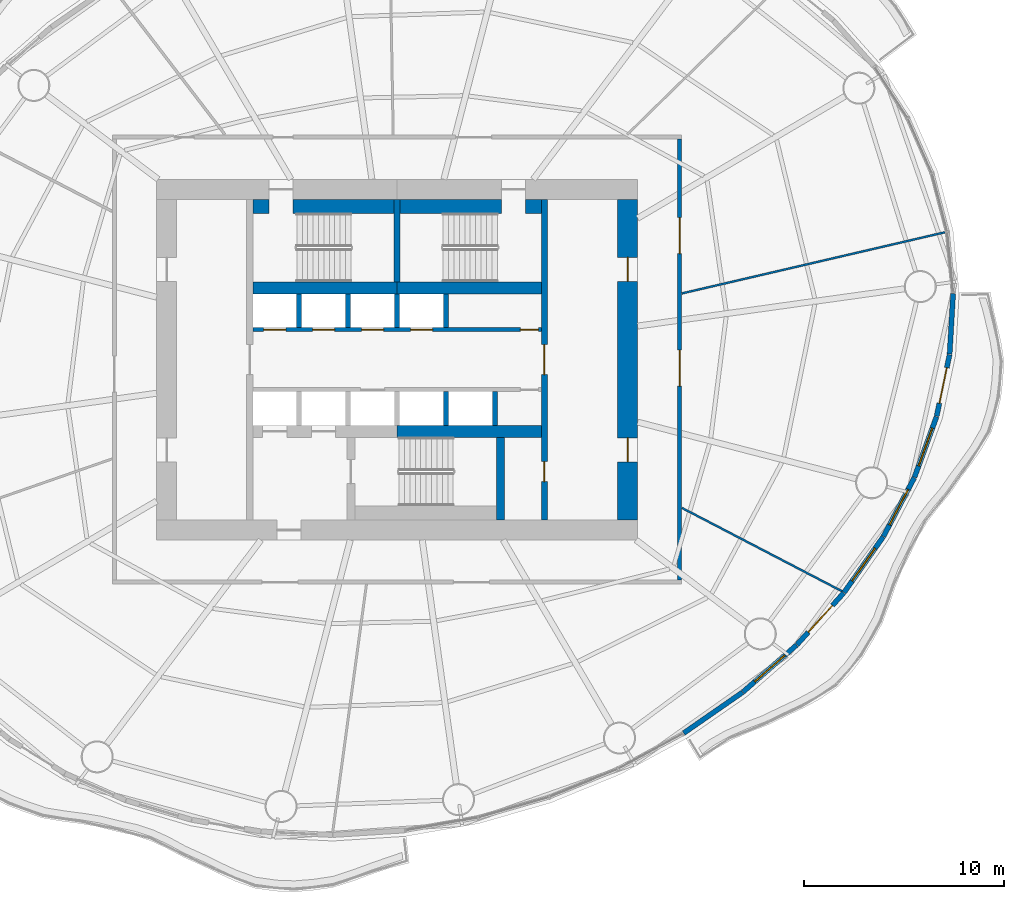
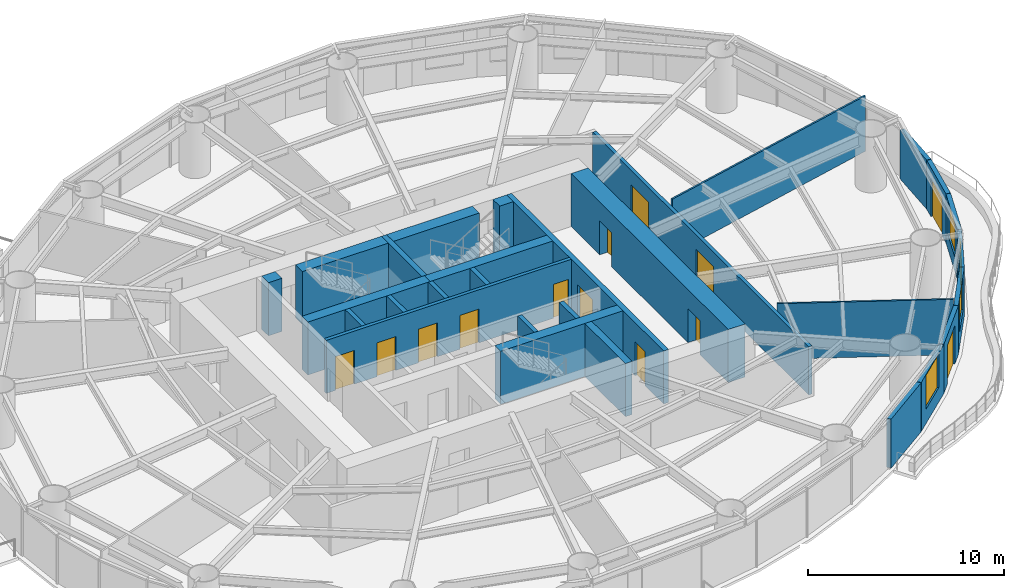
# One storey, part 9 of 16: 29 walls, 13 doors, 4 windows, 17 openings.
"""IFC4 building model written with IfcOpenShell, lengths in metres."""

import ifcopenshell
import ifcopenshell.guid

model = None  # the IFC model being written
_history = None  # IfcOwnerHistory: only IFC2X3 demands one
_inside = {}  # id of a spatial element -> (the spatial element, [elements in it])
_under = {}  # id of a project, library or spatial element -> (it, [spatial elements below it])
_declared = {}  # id of a project -> (the project, [libraries it declares])
_typed = {}  # id of a type object -> (the type object, [elements of that type])
_made_of = {}  # id of a material, layer set ... -> (it, [elements and type objects made of it])


def new_model(schema):
    """Start an empty IFC model of exactly this schema.

    Asked for "IFC4X3", IfcOpenShell would pick the latest addendum, in which some entities
    have other attributes; the version numbers below select the first issue.
    IFC2X3 requires an IfcOwnerHistory on every rooted entity: one is made here for all.
    """
    global model, _history
    if schema == "IFC4X3":
        model = ifcopenshell.file(schema_version=(4, 3, 0, 0))
    else:
        model = ifcopenshell.file(schema=schema)
    _inside.clear()
    _under.clear()
    _declared.clear()
    _typed.clear()
    _made_of.clear()
    _history = None
    if model.schema == "IFC2X3":
        org = make("IfcOrganization", Name="unknown")
        user = make(
            "IfcPersonAndOrganization",
            ThePerson=make("IfcPerson", FamilyName="unknown"),
            TheOrganization=org,
        )
        app = make(
            "IfcApplication",
            ApplicationDeveloper=org,
            Version="unknown",
            ApplicationFullName="unknown",
            ApplicationIdentifier="unknown",
        )
        _history = make(
            "IfcOwnerHistory",
            OwningUser=user,
            OwningApplication=app,
            ChangeAction="ADDED",
            CreationDate=0,
        )
    return model


def make(cls, **values):
    """One entity of the class cls with the attributes given. An attribute that is None is left unset."""
    return model.create_entity(
        cls, **{name: value for name, value in values.items() if value is not None}
    )


def rooted(cls, **values):
    """An entity with a GlobalId (a new one), such as an element, a storey or a relation."""
    return make(cls, GlobalId=ifcopenshell.guid.new(), OwnerHistory=_history, **values)


def si_unit(unit_type, name, prefix=None):
    """IfcSIUnit, for example si_unit("LENGTHUNIT", "METRE", prefix="MILLI")."""
    return make("IfcSIUnit", UnitType=unit_type, Prefix=prefix, Name=name)


def assignment(units):
    """IfcUnitAssignment: the units of a project."""
    return None if units is None else make("IfcUnitAssignment", Units=units)


def point(xyz):
    """IfcCartesianPoint."""
    return None if xyz is None else make("IfcCartesianPoint", Coordinates=xyz)


def direction(xyz):
    """IfcDirection."""
    return None if xyz is None else make("IfcDirection", DirectionRatios=xyz)


def frame(location, z_axis=None, x_axis=None):
    """IfcAxis2Placement3D, a coordinate frame: its origin and axes. An axis left out is left unset."""
    return make(
        "IfcAxis2Placement3D",
        Location=point(location),
        Axis=direction(z_axis),
        RefDirection=direction(x_axis),
    )


def frame_2d(location, x_axis=None):
    """IfcAxis2Placement2D, a coordinate frame in the plane: its origin and x axis."""
    return make(
        "IfcAxis2Placement2D", Location=point(location), RefDirection=direction(x_axis)
    )


def origin():
    """The frame at (0, 0, 0) with its axes left unset."""
    return frame((0.0, 0.0, 0.0))


def place(relative_to, where):
    """IfcLocalPlacement: puts the frame where relative to a parent placement (None: the world)."""
    return make(
        "IfcLocalPlacement", PlacementRelTo=relative_to, RelativePlacement=where
    )


def context(
    kind, dimensions, precision=None, world=None, true_north=None, identifier=None
):
    """IfcGeometricRepresentationContext, for example the 3D "Model" context."""
    return make(
        "IfcGeometricRepresentationContext",
        ContextIdentifier=identifier,
        ContextType=kind,
        CoordinateSpaceDimension=dimensions,
        Precision=precision,
        WorldCoordinateSystem=world,
        TrueNorth=true_north,
    )


def subcontext(parent, identifier, kind, view, scale=None):
    """IfcGeometricRepresentationSubContext, for example "Body" below "Model"."""
    return make(
        "IfcGeometricRepresentationSubContext",
        ContextIdentifier=identifier,
        ContextType=kind,
        ParentContext=parent,
        TargetScale=scale,
        TargetView=view,
    )


def project(units=None, contexts=None):
    """IfcProject with its units and contexts."""
    return rooted(
        "IfcProject",
        Name="project",
        RepresentationContexts=contexts,
        UnitsInContext=assignment(units),
    )


def spatial(cls, under=None, at=None, **own):
    """A site, building, storey or space (cls), placed at a placement, below another one or the project."""
    s = rooted(cls, ObjectPlacement=at, **own)
    if under is not None:
        _under.setdefault(under.id(), (under, []))[1].append(s)
    return s


def profile(cls, at=None, kind="AREA", **sizes):
    """A parametric profile (cls). Its sizes go by their IFC names, for example OverallWidth=200.0."""
    return make(cls, ProfileType=kind, Position=at, **sizes)


def rectangle(**sizes):
    """IfcRectangleProfileDef."""
    return profile("IfcRectangleProfileDef", **sizes)


def extrude(swept, where, along, depth):
    """IfcExtrudedAreaSolid: the profile swept, set in the frame where, extruded along a direction by depth."""
    return make(
        "IfcExtrudedAreaSolid",
        SweptArea=swept,
        Position=where,
        ExtrudedDirection=direction(along),
        Depth=depth,
    )


def shape(context_of_items, identifier, shape_type, items):
    """IfcShapeRepresentation: the items that make up one representation, for example the "Body"."""
    return make(
        "IfcShapeRepresentation",
        ContextOfItems=context_of_items,
        RepresentationIdentifier=identifier,
        RepresentationType=shape_type,
        Items=items,
    )


def material(Name=None, Category=None):
    """IfcMaterial."""
    return make("IfcMaterial", Name=Name, Category=Category)


def layer(
    of_material, thickness, ventilated=None, Name=None, Category=None, Priority=None
):
    """IfcMaterialLayer: one layer of a wall or slab, of a material (None: an air gap)."""
    return make(
        "IfcMaterialLayer",
        Material=of_material,
        LayerThickness=thickness,
        IsVentilated=ventilated,
        Name=Name,
        Category=Category,
        Priority=Priority,
    )


def layer_set(layers, Name=None):
    """IfcMaterialLayerSet."""
    return make("IfcMaterialLayerSet", MaterialLayers=layers, LayerSetName=Name)


def made_of(thing, what):
    """Note that an element or type object is made of a material, layer set ...; save() writes the relation."""
    if what is not None:
        _made_of.setdefault(what.id(), (what, []))[1].append(thing)
    return thing


def type_object(cls, material=None, **own):
    """A type object (cls), such as IfcWallType, which elements share."""
    return made_of(rooted(cls, **own), material)


def element(
    cls,
    number,
    at=None,
    inside=None,
    cuts=None,
    type_object=None,
    material=None,
    context=None,
    identifier="Body",
    shape_type=None,
    held_by="IfcProductDefinitionShape",
    body=None,
    shapes=None,
    **own,
):
    """One element of the class cls, such as IfcWall. Its Tag is "e" and its number.

    at: its placement. inside: the storey or other place that contains it. cuts: it is an
    opening in that element (IfcRelVoidsElement). A single representation is given by context,
    identifier, shape_type and body (its items); several are given by shapes. held_by: the class
    of the entity that holds the representations. save() writes the other relations.
    """
    e = rooted(cls, Tag="e%d" % number, ObjectPlacement=at, **own)
    if body is not None:
        shapes = [shape(context, identifier, shape_type, body)]
    if shapes is not None:
        e.Representation = make(held_by, Representations=shapes)
    if inside is not None:
        _inside.setdefault(inside.id(), (inside, []))[1].append(e)
    if cuts is not None:
        rooted(
            "IfcRelVoidsElement", RelatingBuildingElement=cuts, RelatedOpeningElement=e
        )
    if type_object is not None:
        _typed.setdefault(type_object.id(), (type_object, []))[1].append(e)
    return made_of(e, material)


def fill(opening, filler):
    """IfcRelFillsElement: the door or window that sits in an opening."""
    return rooted(
        "IfcRelFillsElement",
        RelatingOpeningElement=opening,
        RelatedBuildingElement=filler,
    )


def aggregate(whole, parts):
    """IfcRelAggregates: a whole, such as a stair, and the parts it consists of."""
    return rooted("IfcRelAggregates", RelatingObject=whole, RelatedObjects=parts)


def save(model, path):
    """Write the relations noted so far, then the file.

    IfcRelAggregates (storeys below a building ...), IfcRelContainedInSpatialStructure (elements
    in a storey), IfcRelDefinesByType, IfcRelAssociatesMaterial and IfcRelDeclares: one each for
    every whole, place, type object, material and project.
    """
    for whole, parts in _under.values():
        aggregate(whole, parts)
    for where, things in _inside.values():
        rooted(
            "IfcRelContainedInSpatialStructure",
            RelatedElements=things,
            RelatingStructure=where,
        )
    for kind, things in _typed.values():
        rooted("IfcRelDefinesByType", RelatedObjects=things, RelatingType=kind)
    for what, things in _made_of.values():
        rooted("IfcRelAssociatesMaterial", RelatedObjects=things, RelatingMaterial=what)
    for by, libraries in _declared.values():
        rooted("IfcRelDeclares", RelatingContext=by, RelatedDefinitions=libraries)
    model.write(path)


model = new_model("IFC4")

# Units and contexts
model_context = context("Model", 3, precision=1e-05, world=origin(), true_north=direction((0.0, 1.0)))
body_context = subcontext(model_context, "Body", "Model", "MODEL_VIEW")
ifc_project = project(units=[si_unit("LENGTHUNIT", "METRE"), si_unit("AREAUNIT", "SQUARE_METRE"), si_unit("VOLUMEUNIT", "CUBIC_METRE"), si_unit("PLANEANGLEUNIT", "RADIAN"), si_unit("MASSUNIT", "GRAM", prefix="KILO")], contexts=[model_context])

# Site, building, storey
site_placement = place(None, origin())
site = spatial("IfcSite", under=ifc_project, at=site_placement, CompositionType="ELEMENT")
building_placement = place(site_placement, origin())
building = spatial("IfcBuilding", under=site, at=building_placement, Name="Vermilion Reach Broadcast Tower", CompositionType="ELEMENT")
storey_placement = place(building_placement, frame((0.0, 0.0, 110.199951171875)))
storey = spatial("IfcBuildingStorey", under=building, at=storey_placement, Name="L25", CompositionType="ELEMENT", Elevation=110.199951171875)

# Wall, openings, doors
ifc_material_1 = material(Name="Concrete C70", Category="concrete")
ifc_layer_1 = layer(ifc_material_1, 0.300048828125)
ifc_layer_set_1 = layer_set([ifc_layer_1], Name="Core inner wall 300 mm Concrete C70")
wall_type_1 = type_object("IfcWallType", Name="Core inner wall 300 mm Concrete C70", PredefinedType="SHEAR", material=ifc_layer_set_1)
wall_1_placement = place(storey_placement, frame((1.35009765625, -8.0, 0.0), z_axis=(0.0, 0.0, 1.0), x_axis=(0.0, 1.0, 0.0)))
wall_1 = element("IfcWall", 1, at=wall_1_placement, inside=storey, type_object=wall_type_1, Name="L25 core wall ewE", PredefinedType="SHEAR", context=body_context, shape_type="SweptSolid", body=[
    extrude(rectangle(XDim=16.0, YDim=0.300048828125, at=frame_2d((8.0, 0.0))), origin(), (0.0, 0.0, 1.0), 3.300048828125),
])
opening_1_placement = place(wall_1_placement, frame((1.909912109375, 0.0, 0.0)))
opening_1 = element("IfcOpeningElement", 2, at=opening_1_placement, cuts=wall_1, Name="Opening D05", PredefinedType="OPENING", context=body_context, shape_type="SweptSolid", body=[
    extrude(rectangle(XDim=1.0, YDim=2.10009765625, at=frame_2d((0.5, 1.050048828125))), frame((0.0, 0.159912109375, 0.0), z_axis=(0.0, -1.0, 0.0), x_axis=(1.0, 0.0, 0.0)), (0.0, 0.0, 1.0), 0.320068359375),
])
opening_2_placement = place(wall_1_placement, frame((7.25, 0.0, 0.0)))
opening_2 = element("IfcOpeningElement", 3, at=opening_2_placement, cuts=wall_1, Name="Opening D04", PredefinedType="OPENING", context=body_context, shape_type="SweptSolid", body=[
    extrude(rectangle(XDim=1.5, YDim=2.10009765625, at=frame_2d((0.75, 1.050048828125))), frame((0.0, 0.159912109375, 0.0), z_axis=(0.0, -1.0, 0.0), x_axis=(1.0, 0.0, 0.0)), (0.0, 0.0, 1.0), 0.320068359375),
])
ifc_material_2 = material(Name="Painted steel fire door", Category="steel")
door_type_1 = type_object("IfcDoorType", Name="Lift lobby door 1500 x 2100", OperationType="DOUBLE_DOOR_SINGLE_SWING", PredefinedType="NOTDEFINED", material=ifc_material_2)
door_1_placement = place(opening_2_placement, origin())
door_1 = element("IfcDoor", 4, at=door_1_placement, inside=storey, type_object=door_type_1, Name="L25 band door BE", OperationType="DOUBLE_DOOR_SINGLE_SWING", OverallHeight=2.10009765625, OverallWidth=1.5, PredefinedType="NOTDEFINED", context=body_context, shape_type="SweptSolid", body=[
    extrude(rectangle(XDim=1.5, YDim=2.10009765625, at=frame_2d((0.75, 1.050048828125))), frame((0.0, 0.02490234375, 0.0), z_axis=(0.0, -1.0, 0.0), x_axis=(1.0, 0.0, 0.0)), (0.0, 0.0, 1.0), 0.050048828125),
])
fill(opening_2, door_1)
ifc_material_3 = material(Name="Timber door", Category="wood")
door_type_2 = type_object("IfcDoorType", Name="Room door 1000 x 2100", OperationType="NOTDEFINED", PredefinedType="NOTDEFINED", material=ifc_material_3)
door_2_placement = place(opening_1_placement, origin())
door_2 = element("IfcDoor", 5, at=door_2_placement, inside=storey, type_object=door_type_2, Name="L25 door SER", OperationType="SINGLE_SWING_LEFT", OverallHeight=2.10009765625, OverallWidth=1.0, PredefinedType="NOTDEFINED", context=body_context, shape_type="SweptSolid", body=[
    extrude(rectangle(XDim=1.0, YDim=2.10009765625, at=frame_2d((0.5, 1.050048828125))), frame((0.0, 0.02490234375, 0.0), z_axis=(0.0, -1.0, 0.0), x_axis=(1.0, 0.0, 0.0)), (0.0, 0.0, 1.0), 0.050048828125),
])
fill(opening_1, door_2)

# Walls
wall_2_placement = place(storey_placement, frame((-6.0, 3.8798828125, 0.0), z_axis=(0.0, 0.0, 1.0), x_axis=(0.0, 1.0, 0.0)))
element("IfcWall", 6, at=wall_2_placement, inside=storey, type_object=wall_type_1, Name="L25 core wall wc", PredefinedType="SHEAR", context=body_context, shape_type="SweptSolid", body=[
    extrude(rectangle(XDim=4.1201171875, YDim=0.300048828125, at=frame_2d((2.06005859375, 0.0))), origin(), (0.0, 0.0, 1.0), 3.300048828125),
])
ifc_material_4 = material(Name="Concrete C70", Category="concrete")
ifc_layer_2 = layer(ifc_material_4, 0.39990234375)
ifc_layer_set_2 = layer_set([ifc_layer_2], Name="Core inner wall 400 mm Concrete C70")
wall_type_2 = type_object("IfcWallType", Name="Core inner wall 400 mm Concrete C70", PredefinedType="SHEAR", material=ifc_layer_set_2)
wall_3_placement = place(storey_placement, frame((-0.85009765625, -3.8798828125, 0.0), z_axis=(0.0, 0.0, 1.0), x_axis=(0.0, -1.0, 0.0)))
element("IfcWall", 7, at=wall_3_placement, inside=storey, type_object=wall_type_2, Name="L25 core wall wb", PredefinedType="SHEAR", context=body_context, shape_type="SweptSolid", body=[
    extrude(rectangle(XDim=4.1201171875, YDim=0.39990234375, at=frame_2d((2.06005859375, 0.0))), origin(), (0.0, 0.0, 1.0), 3.300048828125),
])
ifc_material_5 = material(Name="Concrete C70", Category="concrete")
ifc_layer_3 = layer(ifc_material_5, 0.60009765625)
ifc_layer_set_3 = layer_set([ifc_layer_3], Name="Core inner wall 600 mm Concrete C70")
wall_type_3 = type_object("IfcWallType", Name="Core inner wall 600 mm Concrete C70", PredefinedType="SHEAR", material=ifc_layer_set_3)
for number, where, z_axis, x_axis, name in (
    (8, (-13.199951171875, 3.580078125, 0.0), (0.0, 0.0, 1.0), (1.0, 0.0, 0.0), "L25 core wall winW"),
    (9, (-6.0, 3.580078125, 0.0), (0.0, 0.0, 1.0), (1.0, 0.0, 0.0), "L25 core wall winE"),
    (10, (-6.0, -3.580078125, 0.0), (0.0, 0.0, 1.0), (1.0, 0.0, 0.0), "L25 core wall wisE"),
):
    element("IfcWall", number, at=place(storey_placement, frame(where, z_axis=z_axis, x_axis=x_axis)), inside=storey, type_object=wall_type_3, Name=name, PredefinedType="SHEAR", context=body_context, shape_type="SweptSolid", body=[
        extrude(rectangle(XDim=7.199951171875, YDim=0.60009765625, at=frame_2d((3.60009765625, 0.0))), origin(), (0.0, 0.0, 1.0), 3.300048828125),
    ])

# Wall, openings, doors
ifc_material_6 = material(Name="Concrete C70", Category="concrete")
ifc_layer_4 = layer(ifc_material_6, 1.0)
ifc_layer_set_4 = layer_set([ifc_layer_4], Name="Core outer wall 1000 mm Concrete C70")
wall_type_4 = type_object("IfcWallType", Name="Core outer wall 1000 mm Concrete C70", PredefinedType="SHEAR", material=ifc_layer_set_4)
wall_4_placement = place(storey_placement, frame((5.5, -8.0, 0.0), z_axis=(0.0, 0.0, 1.0), x_axis=(0.0, 1.0, 0.0)))
wall_4 = element("IfcWall", 11, at=wall_4_placement, inside=storey, type_object=wall_type_4, Name="L25 core wall oe", PredefinedType="SHEAR", context=body_context, shape_type="SweptSolid", body=[
    extrude(rectangle(XDim=16.0, YDim=1.0, at=frame_2d((8.0, 0.0))), origin(), (0.0, 0.0, 1.0), 3.300048828125),
])
opening_3_placement = place(wall_4_placement, frame((2.89990234375, 0.0, 0.0)))
opening_3 = element("IfcOpeningElement", 12, at=opening_3_placement, cuts=wall_4, Name="Opening D03", PredefinedType="OPENING", context=body_context, shape_type="SweptSolid", body=[
    extrude(rectangle(XDim=1.199951171875, YDim=2.10009765625, at=frame_2d((0.60009765625, 1.050048828125))), frame((0.0, 0.510009765625, 0.0), z_axis=(0.0, -1.0, 0.0), x_axis=(1.0, 0.0, 0.0)), (0.0, 0.0, 1.0), 1.02001953125),
])
opening_4_placement = place(wall_4_placement, frame((11.89990234375, 0.0, 0.0)))
opening_4 = element("IfcOpeningElement", 13, at=opening_4_placement, cuts=wall_4, Name="Opening D03", PredefinedType="OPENING", context=body_context, shape_type="SweptSolid", body=[
    extrude(rectangle(XDim=1.199951171875, YDim=2.10009765625, at=frame_2d((0.60009765625, 1.050048828125))), frame((0.0, 0.510009765625, 0.0), z_axis=(0.0, -1.0, 0.0), x_axis=(1.0, 0.0, 0.0)), (0.0, 0.0, 1.0), 1.02001953125),
])
ifc_material_7 = material(Name="Painted steel fire door", Category="steel")
door_type_3 = type_object("IfcDoorType", Name="Core lobby door 1200 x 2100", OperationType="DOUBLE_DOOR_SINGLE_SWING", PredefinedType="NOTDEFINED", material=ifc_material_7)
door_3_placement = place(opening_3_placement, origin())
door_3 = element("IfcDoor", 14, at=door_3_placement, inside=storey, type_object=door_type_3, Name="L25 slot door E0", OperationType="DOUBLE_DOOR_SINGLE_SWING", OverallHeight=2.10009765625, OverallWidth=1.199951171875, PredefinedType="NOTDEFINED", context=body_context, shape_type="SweptSolid", body=[
    extrude(rectangle(XDim=1.199951171875, YDim=2.10009765625, at=frame_2d((0.60009765625, 1.050048828125))), frame((0.0, 0.02490234375, 0.0), z_axis=(0.0, -1.0, 0.0), x_axis=(1.0, 0.0, 0.0)), (0.0, 0.0, 1.0), 0.050048828125),
])
fill(opening_3, door_3)
door_4_placement = place(opening_4_placement, origin())
door_4 = element("IfcDoor", 15, at=door_4_placement, inside=storey, type_object=door_type_3, Name="L25 slot door E1", OperationType="DOUBLE_DOOR_SINGLE_SWING", OverallHeight=2.10009765625, OverallWidth=1.199951171875, PredefinedType="NOTDEFINED", context=body_context, shape_type="SweptSolid", body=[
    extrude(rectangle(XDim=1.199951171875, YDim=2.10009765625, at=frame_2d((0.60009765625, 1.050048828125))), frame((0.0, 0.02490234375, 0.0), z_axis=(0.0, -1.0, 0.0), x_axis=(1.0, 0.0, 0.0)), (0.0, 0.0, 1.0), 0.050048828125),
])
fill(opening_4, door_4)

ifc_material_8 = material(Name="Concrete C50", Category="concrete")
ifc_layer_5 = layer(ifc_material_8, 0.199951171875)
ifc_layer_set_5 = layer_set([ifc_layer_5], Name="Core shaft wall 200 mm Concrete C50")
wall_type_5 = type_object("IfcWallType", Name="Core shaft wall 200 mm Concrete C50", PredefinedType="SHEAR", material=ifc_layer_set_5)
wall_5_placement = place(storey_placement, frame((-13.199951171875, 1.5, 0.0), z_axis=(0.0, 0.0, 1.0), x_axis=(1.0, 0.0, 0.0)))
wall_5 = element("IfcWall", 16, at=wall_5_placement, inside=storey, type_object=wall_type_5, Name="L25 core wall fn", PredefinedType="SHEAR", context=body_context, shape_type="SweptSolid", body=[
    extrude(rectangle(XDim=14.39990234375, YDim=0.199951171875, at=frame_2d((7.199951171875, 0.0))), origin(), (0.0, 0.0, 1.0), 3.300048828125),
])
opening_5_placement = place(wall_5_placement, frame((0.5458984375, 0.0, 0.0)))
opening_5 = element("IfcOpeningElement", 17, at=opening_5_placement, cuts=wall_5, Name="Opening LD2", PredefinedType="OPENING", context=body_context, shape_type="SweptSolid", body=[
    extrude(rectangle(XDim=1.10009765625, YDim=2.10009765625, at=frame_2d((0.550048828125, 1.050048828125))), frame((0.0, 0.10986328125, 0.0), z_axis=(0.0, -1.0, 0.0), x_axis=(1.0, 0.0, 0.0)), (0.0, 0.0, 1.0), 0.219970703125),
])
opening_6_placement = place(wall_5_placement, frame((2.987548828125, 0.0, 0.0)))
opening_6 = element("IfcOpeningElement", 18, at=opening_6_placement, cuts=wall_5, Name="Opening LD2", PredefinedType="OPENING", context=body_context, shape_type="SweptSolid", body=[
    extrude(rectangle(XDim=1.10009765625, YDim=2.10009765625, at=frame_2d((0.550048828125, 1.050048828125))), frame((0.0, 0.10986328125, 0.0), z_axis=(0.0, -1.0, 0.0), x_axis=(1.0, 0.0, 0.0)), (0.0, 0.0, 1.0), 0.219970703125),
])
opening_7_placement = place(wall_5_placement, frame((5.42919921875, 0.0, 0.0)))
opening_7 = element("IfcOpeningElement", 19, at=opening_7_placement, cuts=wall_5, Name="Opening LD2", PredefinedType="OPENING", context=body_context, shape_type="SweptSolid", body=[
    extrude(rectangle(XDim=1.10009765625, YDim=2.10009765625, at=frame_2d((0.550048828125, 1.050048828125))), frame((0.0, 0.10986328125, 0.0), z_axis=(0.0, -1.0, 0.0), x_axis=(1.0, 0.0, 0.0)), (0.0, 0.0, 1.0), 0.219970703125),
])
opening_8_placement = place(wall_5_placement, frame((7.870849609375, 0.0, 0.0)))
opening_8 = element("IfcOpeningElement", 20, at=opening_8_placement, cuts=wall_5, Name="Opening LD2", PredefinedType="OPENING", context=body_context, shape_type="SweptSolid", body=[
    extrude(rectangle(XDim=1.10009765625, YDim=2.10009765625, at=frame_2d((0.550048828125, 1.050048828125))), frame((0.0, 0.10986328125, 0.0), z_axis=(0.0, -1.0, 0.0), x_axis=(1.0, 0.0, 0.0)), (0.0, 0.0, 1.0), 0.219970703125),
])
opening_9_placement = place(wall_5_placement, frame((13.35009765625, 0.0, 0.0)))
opening_9 = element("IfcOpeningElement", 21, at=opening_9_placement, cuts=wall_5, Name="Opening D06", PredefinedType="OPENING", context=body_context, shape_type="SweptSolid", body=[
    extrude(rectangle(XDim=0.89990234375, YDim=2.10009765625, at=frame_2d((0.449951171875, 1.050048828125))), frame((0.0, 0.10986328125, 0.0), z_axis=(0.0, -1.0, 0.0), x_axis=(1.0, 0.0, 0.0)), (0.0, 0.0, 1.0), 0.219970703125),
])
ifc_material_9 = material(Name="Stainless steel", Category="steel")
door_type_4 = type_object("IfcDoorType", Name="Landing door 1100 x 2100", OperationType="DOUBLE_DOOR_SLIDING", PredefinedType="NOTDEFINED", material=ifc_material_9)
door_5_placement = place(opening_5_placement, origin())
door_5 = element("IfcDoor", 22, at=door_5_placement, inside=storey, type_object=door_type_4, Name="L25 landing door LR1", OperationType="DOUBLE_DOOR_SLIDING", OverallHeight=2.10009765625, OverallWidth=1.10009765625, PredefinedType="NOTDEFINED", context=body_context, shape_type="SweptSolid", body=[
    extrude(rectangle(XDim=1.10009765625, YDim=2.10009765625, at=frame_2d((0.550048828125, 1.050048828125))), frame((0.0, 0.02490234375, 0.0), z_axis=(0.0, -1.0, 0.0), x_axis=(1.0, 0.0, 0.0)), (0.0, 0.0, 1.0), 0.050048828125),
])
fill(opening_5, door_5)
door_6_placement = place(opening_6_placement, origin())
door_6 = element("IfcDoor", 23, at=door_6_placement, inside=storey, type_object=door_type_4, Name="L25 landing door LR2", OperationType="DOUBLE_DOOR_SLIDING", OverallHeight=2.10009765625, OverallWidth=1.10009765625, PredefinedType="NOTDEFINED", context=body_context, shape_type="SweptSolid", body=[
    extrude(rectangle(XDim=1.10009765625, YDim=2.10009765625, at=frame_2d((0.550048828125, 1.050048828125))), frame((0.0, 0.02490234375, 0.0), z_axis=(0.0, -1.0, 0.0), x_axis=(1.0, 0.0, 0.0)), (0.0, 0.0, 1.0), 0.050048828125),
])
fill(opening_6, door_6)
door_7_placement = place(opening_7_placement, origin())
door_7 = element("IfcDoor", 24, at=door_7_placement, inside=storey, type_object=door_type_4, Name="L25 landing door LR3", OperationType="DOUBLE_DOOR_SLIDING", OverallHeight=2.10009765625, OverallWidth=1.10009765625, PredefinedType="NOTDEFINED", context=body_context, shape_type="SweptSolid", body=[
    extrude(rectangle(XDim=1.10009765625, YDim=2.10009765625, at=frame_2d((0.550048828125, 1.050048828125))), frame((0.0, 0.02490234375, 0.0), z_axis=(0.0, -1.0, 0.0), x_axis=(1.0, 0.0, 0.0)), (0.0, 0.0, 1.0), 0.050048828125),
])
fill(opening_7, door_7)
door_8_placement = place(opening_8_placement, origin())
door_8 = element("IfcDoor", 25, at=door_8_placement, inside=storey, type_object=door_type_4, Name="L25 landing door LR4", OperationType="DOUBLE_DOOR_SLIDING", OverallHeight=2.10009765625, OverallWidth=1.10009765625, PredefinedType="NOTDEFINED", context=body_context, shape_type="SweptSolid", body=[
    extrude(rectangle(XDim=1.10009765625, YDim=2.10009765625, at=frame_2d((0.550048828125, 1.050048828125))), frame((0.0, 0.02490234375, 0.0), z_axis=(0.0, -1.0, 0.0), x_axis=(1.0, 0.0, 0.0)), (0.0, 0.0, 1.0), 0.050048828125),
])
fill(opening_8, door_8)
ifc_material_10 = material(Name="Timber door", Category="wood")
door_type_5 = type_object("IfcDoorType", Name="WC door 900 x 2100", OperationType="NOTDEFINED", PredefinedType="NOTDEFINED", material=ifc_material_10)
door_9_placement = place(opening_9_placement, origin())
door_9 = element("IfcDoor", 26, at=door_9_placement, inside=storey, type_object=door_type_5, Name="L25 door Female WC", OperationType="SINGLE_SWING_RIGHT", OverallHeight=2.10009765625, OverallWidth=0.89990234375, PredefinedType="NOTDEFINED", context=body_context, shape_type="SweptSolid", body=[
    extrude(rectangle(XDim=0.89990234375, YDim=2.10009765625, at=frame_2d((0.449951171875, 1.050048828125))), frame((0.0, 0.02490234375, 0.0), z_axis=(0.0, -1.0, 0.0), x_axis=(1.0, 0.0, 0.0)), (0.0, 0.0, 1.0), 0.050048828125),
])
fill(opening_9, door_9)

# Walls
ifc_material_11 = material(Name="Concrete C50", Category="concrete")
ifc_layer_6 = layer(ifc_material_11, 0.25)
ifc_layer_set_6 = layer_set([ifc_layer_6], Name="Core shaft wall 250 mm Concrete C50")
wall_type_6 = type_object("IfcWallType", Name="Core shaft wall 250 mm Concrete C50", PredefinedType="SHEAR", material=ifc_layer_set_6)
for number, where, z_axis, x_axis, name in (
    (27, (-10.88330078125, 1.60009765625, 0.0), (0.0, 0.0, 1.0), (0.0, 1.0, 0.0), "L25 core wall psN0"),
    (28, (-8.441650390625, 1.60009765625, 0.0), (0.0, 0.0, 1.0), (0.0, 1.0, 0.0), "L25 core wall psN1"),
    (29, (-6.0, 1.60009765625, 0.0), (0.0, 0.0, 1.0), (0.0, 1.0, 0.0), "L25 core wall psN2"),
    (30, (-3.558349609375, 1.60009765625, 0.0), (0.0, 0.0, 1.0), (0.0, 1.0, 0.0), "L25 core wall psN3"),
    (31, (-3.558349609375, -1.60009765625, 0.0), (0.0, 0.0, 1.0), (0.0, -1.0, 0.0), "L25 core wall psS3"),
    (32, (-1.11669921875, -1.60009765625, 0.0), (0.0, 0.0, 1.0), (0.0, -1.0, 0.0), "L25 core wall psS4"),
):
    element("IfcWall", number, at=place(storey_placement, frame(where, z_axis=z_axis, x_axis=x_axis)), inside=storey, type_object=wall_type_6, Name=name, PredefinedType="SHEAR", context=body_context, shape_type="SweptSolid", body=[
        extrude(rectangle(XDim=1.679931640625, YDim=0.25, at=frame_2d((0.83984375, 0.0))), origin(), (0.0, 0.0, 1.0), 3.300048828125),
    ])
ifc_material_12 = material(Name="Concrete C70", Category="concrete")
ifc_layer_7 = layer(ifc_material_12, 0.699951171875)
ifc_layer_set_7 = layer_set([ifc_layer_7], Name="Core stair wall 700 mm Concrete C70")
wall_type_7 = type_object("IfcWallType", Name="Core stair wall 700 mm Concrete C70", PredefinedType="SHEAR", material=ifc_layer_set_7)
wall_6_placement = place(storey_placement, frame((-13.199951171875, 7.64990234375, 0.0), z_axis=(0.0, 0.0, 1.0), x_axis=(1.0, 0.0, 0.0)))
element("IfcWall", 33, at=wall_6_placement, inside=storey, type_object=wall_type_7, Name="L25 core wall l1a", PredefinedType="SHEAR", context=body_context, shape_type="SweptSolid", body=[
    extrude(rectangle(XDim=0.800048828125, YDim=0.699951171875, at=frame_2d((0.39990234375, 0.0))), origin(), (0.0, 0.0, 1.0), 3.300048828125),
])
for number, where, z_axis, x_axis, name in (
    (34, (-11.199951171875, 7.64990234375, 0.0), (0.0, 0.0, 1.0), (1.0, 0.0, 0.0), "L25 core wall l1b"),
    (35, (-5.85009765625, 7.64990234375, 0.0), (0.0, 0.0, 1.0), (1.0, 0.0, 0.0), "L25 core wall l2a"),
):
    element("IfcWall", number, at=place(storey_placement, frame(where, z_axis=z_axis, x_axis=x_axis)), inside=storey, type_object=wall_type_7, Name=name, PredefinedType="SHEAR", context=body_context, shape_type="SweptSolid", body=[
        extrude(rectangle(XDim=5.050048828125, YDim=0.699951171875, at=frame_2d((2.52490234375, 0.0))), origin(), (0.0, 0.0, 1.0), 3.300048828125),
    ])
wall_7_placement = place(storey_placement, frame((0.39990234375, 7.64990234375, 0.0), z_axis=(0.0, 0.0, 1.0), x_axis=(1.0, 0.0, 0.0)))
element("IfcWall", 36, at=wall_7_placement, inside=storey, type_object=wall_type_7, Name="L25 core wall l2b", PredefinedType="SHEAR", context=body_context, shape_type="SweptSolid", body=[
    extrude(rectangle(XDim=0.800048828125, YDim=0.699951171875, at=frame_2d((0.39990234375, 0.0))), origin(), (0.0, 0.0, 1.0), 3.300048828125),
])
ifc_material_13 = material(Name="Plasterboard on steel stud", Category="steel")
ifc_layer_8 = layer(ifc_material_13, 0.10009765625)
ifc_layer_set_8 = layer_set([ifc_layer_8], Name="Partition 100 steel stud")
wall_type_8 = type_object("IfcWallType", Name="Partition 100 steel stud", PredefinedType="PARTITIONING", material=ifc_layer_set_8)
wall_8_placement = place(storey_placement, frame((16.196533203125, -11.552978515625, 0.0), z_axis=(0.0, 0.0, 1.0), x_axis=(-0.887035297642, 0.461701614398, 0.0)))
element("IfcWall", 37, at=wall_8_placement, inside=storey, type_object=wall_type_8, Name="Partition 25.07", PredefinedType="PARTITIONING", context=body_context, shape_type="SweptSolid", body=[
    extrude(rectangle(XDim=8.98876953125, YDim=0.10009765625, at=frame_2d((4.494384765625, 0.0))), origin(), (0.0, 0.0, 1.0), 3.449951171875),
])
wall_9_placement = place(storey_placement, frame((21.330810546875, 6.353759765625, 0.0), z_axis=(0.0, 0.0, 1.0), x_axis=(-0.974027925426, -0.226427914555, 0.0)))
element("IfcWall", 38, at=wall_9_placement, inside=storey, type_object=wall_type_8, Name="Partition 25.08", PredefinedType="PARTITIONING", context=body_context, shape_type="SweptSolid", body=[
    extrude(rectangle(XDim=13.46923828125, YDim=0.10009765625, at=frame_2d((6.734619140625, 0.0))), origin(), (0.0, 0.0, 1.0), 3.449951171875),
])
ifc_material_14 = material(Name="Terracotta rainscreen cladding", Category="masonry")
ifc_layer_9 = layer(ifc_material_14, 0.25)
ifc_layer_set_9 = layer_set([ifc_layer_9], Name="Terracotta rainscreen wall 250")
wall_type_9 = type_object("IfcWallType", Name="Terracotta rainscreen wall 250", PredefinedType="SOLIDWALL", material=ifc_layer_set_9)
wall_10_placement = place(storey_placement, frame((8.30517578125, -18.63330078125, 0.0), z_axis=(0.0, 0.0, 1.0), x_axis=(0.821702391874, 0.56991681778, 0.0)))
element("IfcWall", 39, at=wall_10_placement, inside=storey, type_object=wall_type_9, Name="External wall L25 38", PredefinedType="SOLIDWALL", context=body_context, shape_type="SweptSolid", body=[
    extrude(rectangle(XDim=3.572998046875, YDim=0.25, at=frame_2d((1.78662109375, 0.0))), origin(), (0.0, 0.0, 1.0), 3.050048828125),
])

# Wall, opening, window
wall_11_placement = place(storey_placement, frame((11.258544921875, -16.58349609375, 0.0), z_axis=(0.0, 0.0, 1.0), x_axis=(0.752389619374, 0.658718346988, 0.0)))
wall_11 = element("IfcWall", 40, at=wall_11_placement, inside=storey, type_object=wall_type_9, Name="External wall L25 39", PredefinedType="SOLIDWALL", context=body_context, shape_type="SweptSolid", body=[
    extrude(rectangle(XDim=3.5576171875, YDim=0.25, at=frame_2d((1.77880859375, 0.0))), origin(), (0.0, 0.0, 1.0), 3.050048828125),
])
opening_10_placement = place(wall_11_placement, frame((0.77880859375, 0.0, 0.89990234375)))
opening_10 = element("IfcOpeningElement", 41, at=opening_10_placement, cuts=wall_11, Name="Opening W03", PredefinedType="OPENING", context=body_context, shape_type="SweptSolid", body=[
    extrude(rectangle(XDim=2.0, YDim=2.10009765625, at=frame_2d((1.0, 1.050048828125))), frame((0.0, 0.135009765625, 0.0), z_axis=(0.0, -1.0, 0.0), x_axis=(1.0, 0.0, 0.0)), (0.0, 0.0, 1.0), 0.27001953125),
])
ifc_material_15 = material(Name="Low-e laminated clear glass in aluminium frame", Category="aluminium")
window_type = type_object("IfcWindowType", Name="Punched window 2000 x 2100 sill 900", PartitioningType="SINGLE_PANEL", PredefinedType="WINDOW", material=ifc_material_15)
window_1_placement = place(opening_10_placement, origin())
window_1 = element("IfcWindow", 42, at=window_1_placement, inside=storey, type_object=window_type, Name="Window L25 39", OverallHeight=2.10009765625, OverallWidth=2.0, PartitioningType="SINGLE_PANEL", PredefinedType="WINDOW", context=body_context, shape_type="SweptSolid", body=[
    extrude(rectangle(XDim=2.0, YDim=2.10009765625, at=frame_2d((1.0, 1.050048828125))), frame((0.0, 0.030029296875, 0.0), z_axis=(0.0, -1.0, 0.0), x_axis=(1.0, 0.0, 0.0)), (0.0, 0.0, 1.0), 0.06005859375),
])
fill(opening_10, window_1)

# Wall, opening, door
wall_12_placement = place(storey_placement, frame((13.951416015625, -14.22412109375, 0.0), z_axis=(0.0, 0.0, 1.0), x_axis=(0.670380889725, 0.74201715795, 0.0)))
wall_12 = element("IfcWall", 43, at=wall_12_placement, inside=storey, type_object=wall_type_9, Name="External wall L25 40", PredefinedType="SOLIDWALL", context=body_context, shape_type="SweptSolid", body=[
    extrude(rectangle(XDim=3.483154296875, YDim=0.25, at=frame_2d((1.74169921875, 0.0))), origin(), (0.0, 0.0, 1.0), 3.050048828125),
])
opening_11_placement = place(wall_12_placement, frame((0.842041015625, 0.0, 0.0)))
opening_11 = element("IfcOpeningElement", 44, at=opening_11_placement, cuts=wall_12, Name="Opening D70", PredefinedType="OPENING", context=body_context, shape_type="SweptSolid", body=[
    extrude(rectangle(XDim=1.800048828125, YDim=2.39990234375, at=frame_2d((0.89990234375, 1.199951171875))), frame((0.0, 0.135009765625, 0.0), z_axis=(0.0, -1.0, 0.0), x_axis=(1.0, 0.0, 0.0)), (0.0, 0.0, 1.0), 0.27001953125),
])
ifc_material_16 = material(Name="Low-e laminated clear glass in aluminium frame", Category="aluminium")
door_type_6 = type_object("IfcDoorType", Name="Balcony sliding door 1800 x 2400", OperationType="DOUBLE_DOOR_SLIDING", PredefinedType="DOOR", material=ifc_material_16)
door_10_placement = place(opening_11_placement, origin())
door_10 = element("IfcDoor", 45, at=door_10_placement, inside=storey, type_object=door_type_6, Name="Balcony door L25 run 10", OperationType="DOUBLE_DOOR_SLIDING", OverallHeight=2.39990234375, OverallWidth=1.800048828125, PredefinedType="DOOR", context=body_context, shape_type="SweptSolid", body=[
    extrude(rectangle(XDim=1.800048828125, YDim=2.39990234375, at=frame_2d((0.89990234375, 1.199951171875))), frame((0.0, 0.02490234375, 0.0), z_axis=(0.0, -1.0, 0.0), x_axis=(1.0, 0.0, 0.0)), (0.0, 0.0, 1.0), 0.050048828125),
])
fill(opening_11, door_10)

# Wall, opening, window
wall_13_placement = place(storey_placement, frame((16.30078125, -11.62158203125, 0.0), z_axis=(0.0, 0.0, 1.0), x_axis=(0.57497541368, 0.818170687365, 0.0)))
wall_13 = element("IfcWall", 46, at=wall_13_placement, inside=storey, type_object=wall_type_9, Name="External wall L25 41", PredefinedType="SOLIDWALL", context=body_context, shape_type="SweptSolid", body=[
    extrude(rectangle(XDim=3.398193359375, YDim=0.25, at=frame_2d((1.69921875, 0.0))), origin(), (0.0, 0.0, 1.0), 3.050048828125),
])
opening_12_placement = place(wall_13_placement, frame((0.698974609375, 0.0, 0.89990234375)))
opening_12 = element("IfcOpeningElement", 47, at=opening_12_placement, cuts=wall_13, Name="Opening W03", PredefinedType="OPENING", context=body_context, shape_type="SweptSolid", body=[
    extrude(rectangle(XDim=2.0, YDim=2.10009765625, at=frame_2d((1.0, 1.050048828125))), frame((0.0, 0.135009765625, 0.0), z_axis=(0.0, -1.0, 0.0), x_axis=(1.0, 0.0, 0.0)), (0.0, 0.0, 1.0), 0.27001953125),
])
window_2_placement = place(opening_12_placement, origin())
window_2 = element("IfcWindow", 48, at=window_2_placement, inside=storey, type_object=window_type, Name="Window L25 41", OverallHeight=2.10009765625, OverallWidth=2.0, PartitioningType="SINGLE_PANEL", PredefinedType="WINDOW", context=body_context, shape_type="SweptSolid", body=[
    extrude(rectangle(XDim=2.0, YDim=2.10009765625, at=frame_2d((1.0, 1.050048828125))), frame((0.0, 0.030029296875, 0.0), z_axis=(0.0, -1.0, 0.0), x_axis=(1.0, 0.0, 0.0)), (0.0, 0.0, 1.0), 0.06005859375),
])
fill(opening_12, window_2)

wall_14_placement = place(storey_placement, frame((18.267333984375, -8.82080078125, 0.0), z_axis=(0.0, 0.0, 1.0), x_axis=(0.465454364303, 0.885071881121, 0.0)))
wall_14 = element("IfcWall", 49, at=wall_14_placement, inside=storey, type_object=wall_type_9, Name="External wall L25 42", PredefinedType="SOLIDWALL", context=body_context, shape_type="SweptSolid", body=[
    extrude(rectangle(XDim=3.3076171875, YDim=0.25, at=frame_2d((1.65380859375, 0.0))), origin(), (0.0, 0.0, 1.0), 3.050048828125),
])
opening_13_placement = place(wall_14_placement, frame((0.65380859375, 0.0, 0.89990234375)))
opening_13 = element("IfcOpeningElement", 50, at=opening_13_placement, cuts=wall_14, Name="Opening W03", PredefinedType="OPENING", context=body_context, shape_type="SweptSolid", body=[
    extrude(rectangle(XDim=2.0, YDim=2.10009765625, at=frame_2d((1.0, 1.050048828125))), frame((0.0, 0.135009765625, 0.0), z_axis=(0.0, -1.0, 0.0), x_axis=(1.0, 0.0, 0.0)), (0.0, 0.0, 1.0), 0.27001953125),
])
window_3_placement = place(opening_13_placement, origin())
window_3 = element("IfcWindow", 51, at=window_3_placement, inside=storey, type_object=window_type, Name="Window L25 42", OverallHeight=2.10009765625, OverallWidth=2.0, PartitioningType="SINGLE_PANEL", PredefinedType="WINDOW", context=body_context, shape_type="SweptSolid", body=[
    extrude(rectangle(XDim=2.0, YDim=2.10009765625, at=frame_2d((1.0, 1.050048828125))), frame((0.0, 0.030029296875, 0.0), z_axis=(0.0, -1.0, 0.0), x_axis=(1.0, 0.0, 0.0)), (0.0, 0.0, 1.0), 0.06005859375),
])
fill(opening_13, window_3)

wall_15_placement = place(storey_placement, frame((19.817138671875, -5.87060546875, 0.0), z_axis=(0.0, 0.0, 1.0), x_axis=(0.341877080841, 0.93974467894, 0.0)))
wall_15 = element("IfcWall", 52, at=wall_15_placement, inside=storey, type_object=wall_type_9, Name="External wall L25 43", PredefinedType="SOLIDWALL", context=body_context, shape_type="SweptSolid", body=[
    extrude(rectangle(XDim=3.2177734375, YDim=0.25, at=frame_2d((1.60888671875, 0.0))), origin(), (0.0, 0.0, 1.0), 3.050048828125),
])
opening_14_placement = place(wall_15_placement, frame((0.60888671875, 0.0, 0.89990234375)))
opening_14 = element("IfcOpeningElement", 53, at=opening_14_placement, cuts=wall_15, Name="Opening W03", PredefinedType="OPENING", context=body_context, shape_type="SweptSolid", body=[
    extrude(rectangle(XDim=2.0, YDim=2.10009765625, at=frame_2d((1.0, 1.050048828125))), frame((0.0, 0.135009765625, 0.0), z_axis=(0.0, -1.0, 0.0), x_axis=(1.0, 0.0, 0.0)), (0.0, 0.0, 1.0), 0.27001953125),
])
window_4_placement = place(opening_14_placement, origin())
window_4 = element("IfcWindow", 54, at=window_4_placement, inside=storey, type_object=window_type, Name="Window L25 43", OverallHeight=2.10009765625, OverallWidth=2.0, PartitioningType="SINGLE_PANEL", PredefinedType="WINDOW", context=body_context, shape_type="SweptSolid", body=[
    extrude(rectangle(XDim=2.0, YDim=2.10009765625, at=frame_2d((1.0, 1.050048828125))), frame((0.0, 0.030029296875, 0.0), z_axis=(0.0, -1.0, 0.0), x_axis=(1.0, 0.0, 0.0)), (0.0, 0.0, 1.0), 0.06005859375),
])
fill(opening_14, window_4)

# Wall, opening, door
wall_16_placement = place(storey_placement, frame((20.92431640625, -2.822021484375, 0.0), z_axis=(0.0, 0.0, 1.0), x_axis=(0.205198000351, 0.978720481369, 0.0)))
wall_16 = element("IfcWall", 55, at=wall_16_placement, inside=storey, type_object=wall_type_9, Name="External wall L25 44", PredefinedType="SOLIDWALL", context=body_context, shape_type="SweptSolid", body=[
    extrude(rectangle(XDim=3.135009765625, YDim=0.25, at=frame_2d((1.5673828125, 0.0))), origin(), (0.0, 0.0, 1.0), 3.050048828125),
])
opening_15_placement = place(wall_16_placement, frame((0.6669921875, 0.0, 0.0)))
opening_15 = element("IfcOpeningElement", 56, at=opening_15_placement, cuts=wall_16, Name="Opening D70", PredefinedType="OPENING", context=body_context, shape_type="SweptSolid", body=[
    extrude(rectangle(XDim=1.800048828125, YDim=2.39990234375, at=frame_2d((0.89990234375, 1.199951171875))), frame((0.0, 0.135009765625, 0.0), z_axis=(0.0, -1.0, 0.0), x_axis=(1.0, 0.0, 0.0)), (0.0, 0.0, 1.0), 0.27001953125),
])
door_11_placement = place(opening_15_placement, origin())
door_11 = element("IfcDoor", 57, at=door_11_placement, inside=storey, type_object=door_type_6, Name="Balcony door L25 run 11", OperationType="DOUBLE_DOOR_SLIDING", OverallHeight=2.39990234375, OverallWidth=1.800048828125, PredefinedType="DOOR", context=body_context, shape_type="SweptSolid", body=[
    extrude(rectangle(XDim=1.800048828125, YDim=2.39990234375, at=frame_2d((0.89990234375, 1.199951171875))), frame((0.0, 0.02490234375, 0.0), z_axis=(0.0, -1.0, 0.0), x_axis=(1.0, 0.0, 0.0)), (0.0, 0.0, 1.0), 0.050048828125),
])
fill(opening_15, door_11)

# Wall
wall_17_placement = place(storey_placement, frame((21.571044921875, 0.272705078125, 0.0), z_axis=(0.0, 0.0, 1.0), x_axis=(0.057638311383, 0.998337530628, 0.0)))
element("IfcWall", 58, at=wall_17_placement, inside=storey, type_object=wall_type_9, Name="External wall L25 45", PredefinedType="SOLIDWALL", context=body_context, shape_type="SweptSolid", body=[
    extrude(rectangle(XDim=3.0244140625, YDim=0.25, at=frame_2d((1.51220703125, 0.0))), origin(), (0.0, 0.0, 1.0), 3.050048828125),
])

# Wall, openings, doors
ifc_material_17 = material(Name="Fire-rated gypsum board partition")
ifc_layer_10 = layer(ifc_material_17, 0.199951171875)
ifc_layer_set_10 = layer_set([ifc_layer_10], Name="Under girder: Corridor wall 200 fire-rated")
wall_type_10 = type_object("IfcWallType", Name="Under girder: Corridor wall 200 fire-rated", PredefinedType="PARTITIONING", material=ifc_layer_set_10)
wall_18_placement = place(storey_placement, frame((8.10009765625, 11.0, 0.0), z_axis=(0.0, 0.0, 1.0), x_axis=(0.0, -1.0, 0.0)))
wall_18 = element("IfcWall", 59, at=wall_18_placement, inside=storey, type_object=wall_type_10, Name="Corridor wall 25.E", PredefinedType="PARTITIONING", context=body_context, shape_type="SweptSolid", body=[
    extrude(rectangle(XDim=22.0, YDim=0.199951171875, at=frame_2d((11.0, 0.0))), origin(), (0.0, 0.0, 1.0), 3.0),
])
opening_16_placement = place(wall_18_placement, frame((10.5263671875, 0.0, 0.0)))
opening_16 = element("IfcOpeningElement", 60, at=opening_16_placement, cuts=wall_18, Name="Opening D21", PredefinedType="OPENING", context=body_context, shape_type="SweptSolid", body=[
    extrude(rectangle(XDim=1.800048828125, YDim=2.10009765625, at=frame_2d((0.89990234375, 1.050048828125))), frame((0.0, 0.10986328125, 0.0), z_axis=(0.0, -1.0, 0.0), x_axis=(1.0, 0.0, 0.0)), (0.0, 0.0, 1.0), 0.219970703125),
])
opening_17_placement = place(wall_18_placement, frame((3.9091796875, 0.0, 0.0)))
opening_17 = element("IfcOpeningElement", 61, at=opening_17_placement, cuts=wall_18, Name="Opening D21", PredefinedType="OPENING", context=body_context, shape_type="SweptSolid", body=[
    extrude(rectangle(XDim=1.800048828125, YDim=2.10009765625, at=frame_2d((0.89990234375, 1.050048828125))), frame((0.0, 0.10986328125, 0.0), z_axis=(0.0, -1.0, 0.0), x_axis=(1.0, 0.0, 0.0)), (0.0, 0.0, 1.0), 0.219970703125),
])
ifc_material_18 = material(Name="Timber door leaf", Category="wood")
door_type_7 = type_object("IfcDoorType", Name="Door pair 1800x2100", OperationType="NOTDEFINED", PredefinedType="DOOR", material=ifc_material_18)
door_12_placement = place(opening_16_placement, origin())
door_12 = element("IfcDoor", 62, at=door_12_placement, inside=storey, type_object=door_type_7, Name="Door 25.07", OperationType="DOUBLE_DOOR_SINGLE_SWING", OverallHeight=2.10009765625, OverallWidth=1.800048828125, PredefinedType="DOOR", context=body_context, shape_type="SweptSolid", body=[
    extrude(rectangle(XDim=1.800048828125, YDim=2.10009765625, at=frame_2d((0.89990234375, 1.050048828125))), frame((0.0, 0.02490234375, 0.0), z_axis=(0.0, -1.0, 0.0), x_axis=(1.0, 0.0, 0.0)), (0.0, 0.0, 1.0), 0.050048828125),
])
fill(opening_16, door_12)
door_13_placement = place(opening_17_placement, origin())
door_13 = element("IfcDoor", 63, at=door_13_placement, inside=storey, type_object=door_type_7, Name="Door 25.08", OperationType="DOUBLE_DOOR_SINGLE_SWING", OverallHeight=2.10009765625, OverallWidth=1.800048828125, PredefinedType="DOOR", context=body_context, shape_type="SweptSolid", body=[
    extrude(rectangle(XDim=1.800048828125, YDim=2.10009765625, at=frame_2d((0.89990234375, 1.050048828125))), frame((0.0, 0.02490234375, 0.0), z_axis=(0.0, -1.0, 0.0), x_axis=(1.0, 0.0, 0.0)), (0.0, 0.0, 1.0), 0.050048828125),
])
fill(opening_17, door_13)

save(model, "model.ifc")
